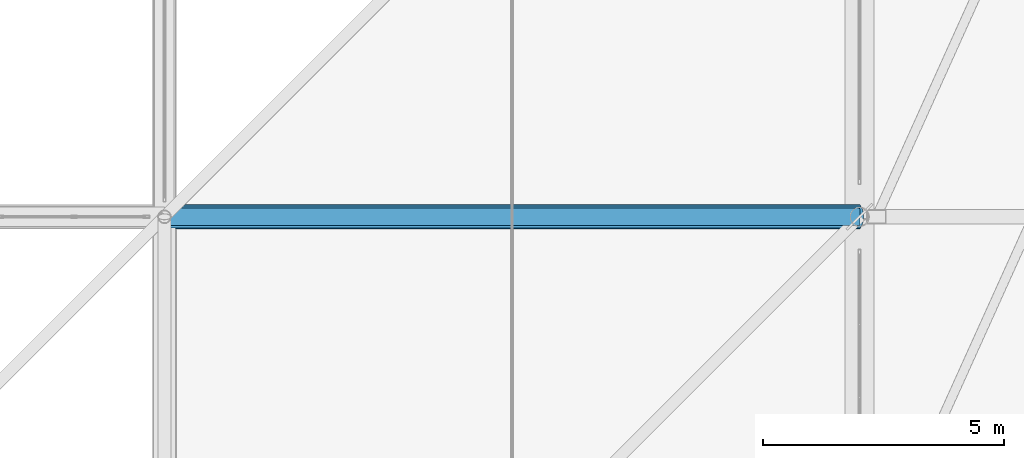
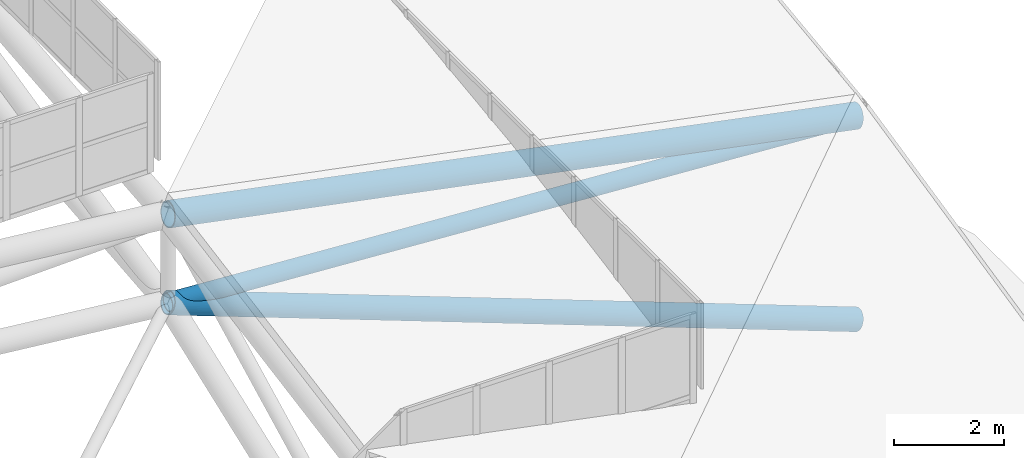
# One storey, part 124 of 397: 2 beams, 1 member.
"""IFC4 building model written with IfcOpenShell, lengths in metres."""

from ifc_helpers import new_model, si_unit, direction, frame, origin, origin_2d, place, context, subcontext, project, spatial, hollow_circle, extrude, material, material_profile, profile_set, type_object, element, save


model = new_model("IFC4")

# Units and contexts
model_context = context("Model", 3, precision=1e-05, world=origin(), true_north=direction((0.0, 1.0)))
body_context = subcontext(model_context, "Body", "Model", "MODEL_VIEW")
ifc_project = project(units=[si_unit("LENGTHUNIT", "METRE"), si_unit("AREAUNIT", "SQUARE_METRE"), si_unit("VOLUMEUNIT", "CUBIC_METRE"), si_unit("PLANEANGLEUNIT", "RADIAN"), si_unit("MASSUNIT", "GRAM", prefix="KILO")], contexts=[model_context])

# Site, building, storey
site_placement = place(None, origin())
site = spatial("IfcSite", under=ifc_project, at=site_placement, CompositionType="ELEMENT")
building_placement = place(site_placement, origin())
building = spatial("IfcBuilding", under=site, at=building_placement, Name="Qandorah Velis Arena", CompositionType="ELEMENT")
storey_placement = place(building_placement, frame((0.0, 0.0, 27.5)))
storey = spatial("IfcBuildingStorey", under=building, at=storey_placement, Name="RF", CompositionType="ELEMENT", Elevation=27.5)

# Beams
ifc_material = material(Name="Steel S355", Category="steel")
ifc_material_profile_1 = material_profile(ifc_material, hollow_circle(Radius=0.228515625, WallThickness=0.01611328125, at=origin_2d()), Name="CHS 457x16")
ifc_profile_set_1 = profile_set([ifc_material_profile_1], Name="Steel S355")
beam_type_1 = type_object("IfcBeamType", Name="STR-SFC-CHS457X16", PredefinedType="USERDEFINED", material=ifc_profile_set_1)
beam_1_placement = place(storey_placement, frame((100.800048828125, 28.800048828125, 5.515380859375), z_axis=(0.936001385317, 0.0, -0.351996316295), x_axis=(0.0, 1.0, 0.0)))
element("IfcBeam", 1, at=beam_1_placement, inside=storey, type_object=beam_type_1, Name="Space frame roof truss bottom chord X 6.1", ObjectType="ROOF TRUSS", PredefinedType="USERDEFINED", context=body_context, shape_type="SweptSolid", body=[
    extrude(hollow_circle(Radius=0.228515625, WallThickness=0.01611328125, at=origin_2d()), origin(), (0.0, 0.0, 1.0), 15.384521484375),
])
ifc_material_profile_2 = material_profile(ifc_material, hollow_circle(Radius=0.25390625, WallThickness=0.02001953125, at=origin_2d()), Name="CHS 508x20")
ifc_profile_set_2 = profile_set([ifc_material_profile_2], Name="Steel S355")
beam_type_2 = type_object("IfcBeamType", Name="STR-SFC-CHS508X20", PredefinedType="USERDEFINED", material=ifc_profile_set_2)
beam_2_placement = place(storey_placement, frame((100.800048828125, 28.800048828125, 7.46533203125), z_axis=(0.980881415591, 0.0, -0.194606393904), x_axis=(0.0, 1.0, 0.0)))
element("IfcBeam", 2, at=beam_2_placement, inside=storey, type_object=beam_type_2, Name="Space frame roof truss top chord X 6.1", ObjectType="ROOF TRUSS", PredefinedType="USERDEFINED", context=body_context, shape_type="SweptSolid", body=[
    extrude(hollow_circle(Radius=0.25390625, WallThickness=0.02001953125, at=origin_2d()), origin(), (0.0, 0.0, 1.0), 14.6806640625),
])

# Member
ifc_material_profile_3 = material_profile(ifc_material, hollow_circle(Radius=0.177734375, WallThickness=0.012451171875, at=origin_2d()), Name="CHS 355.6x12.5")
ifc_profile_set_3 = profile_set([ifc_material_profile_3], Name="Steel S355")
member_type = type_object("IfcMemberType", Name="STR-SFD-CHS355X12", PredefinedType="STRUT", material=ifc_profile_set_3)
member_placement = place(storey_placement, frame((100.800048828125, 28.800048828125, 5.515380859375), z_axis=(0.998022307298, 0.0, -0.062860751952), x_axis=(0.0, 1.0, 0.0)))
element("IfcMember", 3, at=member_placement, inside=storey, type_object=member_type, Name="Space frame roof diagonal X 6.1", PredefinedType="STRUT", context=body_context, shape_type="SweptSolid", body=[
    extrude(hollow_circle(Radius=0.177734375, WallThickness=0.012451171875, at=origin_2d()), origin(), (0.0, 0.0, 1.0), 14.428466796875),
])

save(model, "model.ifc")
